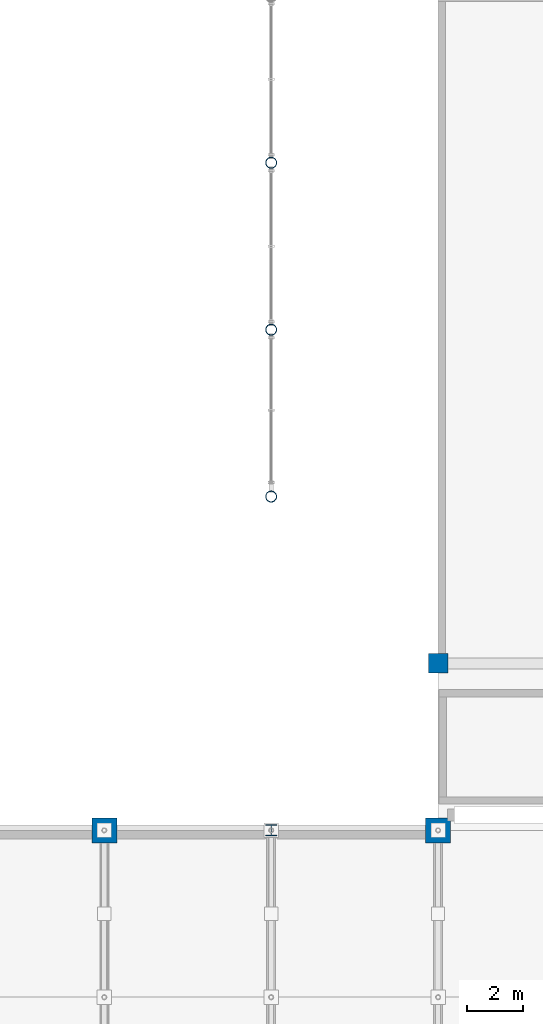
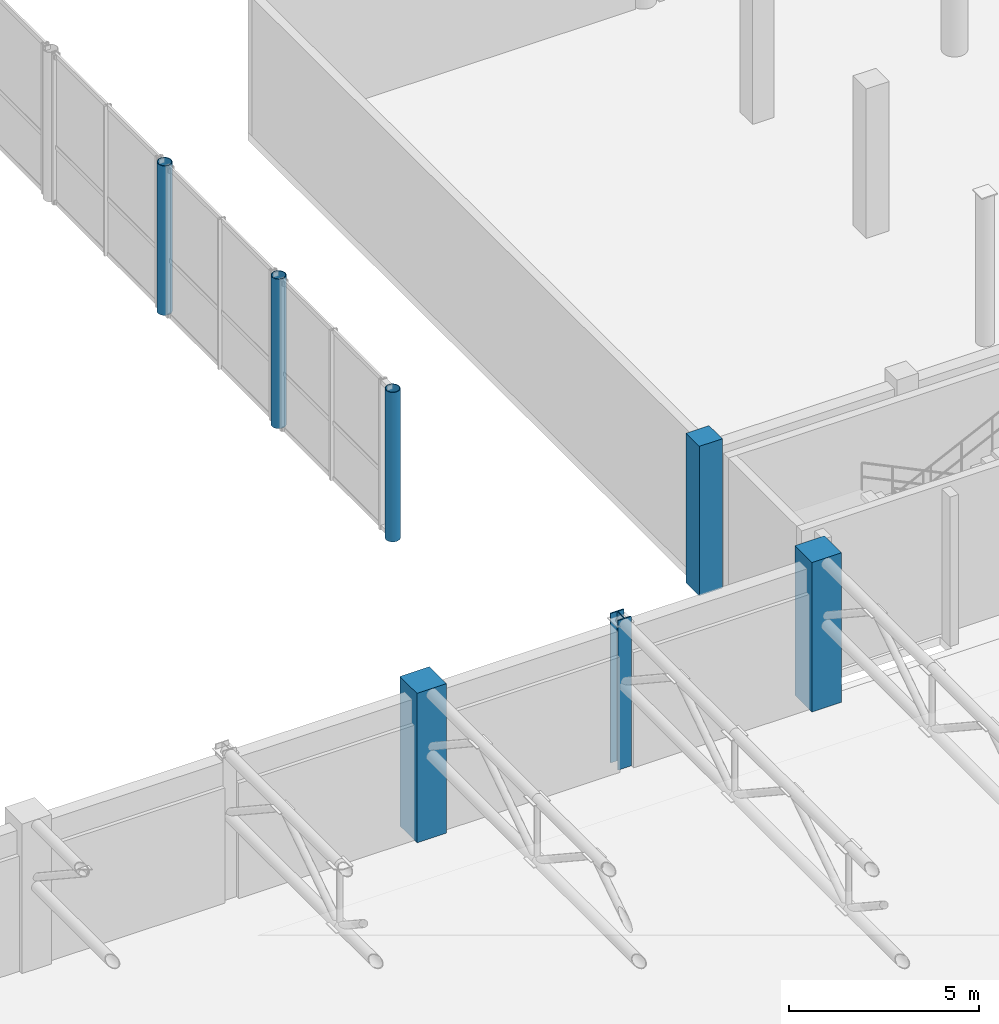
# One storey, part 5 of 123: 7 columns.
"""IFC4 building model written with IfcOpenShell, lengths in metres."""

import ifcopenshell
import ifcopenshell.guid

model = None  # the IFC model being written
_history = None  # IfcOwnerHistory: only IFC2X3 demands one
_inside = {}  # id of a spatial element -> (the spatial element, [elements in it])
_under = {}  # id of a project, library or spatial element -> (it, [spatial elements below it])
_declared = {}  # id of a project -> (the project, [libraries it declares])
_typed = {}  # id of a type object -> (the type object, [elements of that type])
_made_of = {}  # id of a material, layer set ... -> (it, [elements and type objects made of it])


def new_model(schema):
    """Start an empty IFC model of exactly this schema.

    Asked for "IFC4X3", IfcOpenShell would pick the latest addendum, in which some entities
    have other attributes; the version numbers below select the first issue.
    IFC2X3 requires an IfcOwnerHistory on every rooted entity: one is made here for all.
    """
    global model, _history
    if schema == "IFC4X3":
        model = ifcopenshell.file(schema_version=(4, 3, 0, 0))
    else:
        model = ifcopenshell.file(schema=schema)
    _inside.clear()
    _under.clear()
    _declared.clear()
    _typed.clear()
    _made_of.clear()
    _history = None
    if model.schema == "IFC2X3":
        org = make("IfcOrganization", Name="unknown")
        user = make(
            "IfcPersonAndOrganization",
            ThePerson=make("IfcPerson", FamilyName="unknown"),
            TheOrganization=org,
        )
        app = make(
            "IfcApplication",
            ApplicationDeveloper=org,
            Version="unknown",
            ApplicationFullName="unknown",
            ApplicationIdentifier="unknown",
        )
        _history = make(
            "IfcOwnerHistory",
            OwningUser=user,
            OwningApplication=app,
            ChangeAction="ADDED",
            CreationDate=0,
        )
    return model


def make(cls, **values):
    """One entity of the class cls with the attributes given. An attribute that is None is left unset."""
    return model.create_entity(
        cls, **{name: value for name, value in values.items() if value is not None}
    )


def rooted(cls, **values):
    """An entity with a GlobalId (a new one), such as an element, a storey or a relation."""
    return make(cls, GlobalId=ifcopenshell.guid.new(), OwnerHistory=_history, **values)


def si_unit(unit_type, name, prefix=None):
    """IfcSIUnit, for example si_unit("LENGTHUNIT", "METRE", prefix="MILLI")."""
    return make("IfcSIUnit", UnitType=unit_type, Prefix=prefix, Name=name)


def assignment(units):
    """IfcUnitAssignment: the units of a project."""
    return None if units is None else make("IfcUnitAssignment", Units=units)


def point(xyz):
    """IfcCartesianPoint."""
    return None if xyz is None else make("IfcCartesianPoint", Coordinates=xyz)


def direction(xyz):
    """IfcDirection."""
    return None if xyz is None else make("IfcDirection", DirectionRatios=xyz)


def frame(location, z_axis=None, x_axis=None):
    """IfcAxis2Placement3D, a coordinate frame: its origin and axes. An axis left out is left unset."""
    return make(
        "IfcAxis2Placement3D",
        Location=point(location),
        Axis=direction(z_axis),
        RefDirection=direction(x_axis),
    )


def frame_2d(location, x_axis=None):
    """IfcAxis2Placement2D, a coordinate frame in the plane: its origin and x axis."""
    return make(
        "IfcAxis2Placement2D", Location=point(location), RefDirection=direction(x_axis)
    )


def origin():
    """The frame at (0, 0, 0) with its axes left unset."""
    return frame((0.0, 0.0, 0.0))


def origin_2d():
    """The frame at (0, 0) in the plane with its x axis left unset."""
    return frame_2d((0.0, 0.0))


def place(relative_to, where):
    """IfcLocalPlacement: puts the frame where relative to a parent placement (None: the world)."""
    return make(
        "IfcLocalPlacement", PlacementRelTo=relative_to, RelativePlacement=where
    )


def context(
    kind, dimensions, precision=None, world=None, true_north=None, identifier=None
):
    """IfcGeometricRepresentationContext, for example the 3D "Model" context."""
    return make(
        "IfcGeometricRepresentationContext",
        ContextIdentifier=identifier,
        ContextType=kind,
        CoordinateSpaceDimension=dimensions,
        Precision=precision,
        WorldCoordinateSystem=world,
        TrueNorth=true_north,
    )


def subcontext(parent, identifier, kind, view, scale=None):
    """IfcGeometricRepresentationSubContext, for example "Body" below "Model"."""
    return make(
        "IfcGeometricRepresentationSubContext",
        ContextIdentifier=identifier,
        ContextType=kind,
        ParentContext=parent,
        TargetScale=scale,
        TargetView=view,
    )


def project(units=None, contexts=None):
    """IfcProject with its units and contexts."""
    return rooted(
        "IfcProject",
        Name="project",
        RepresentationContexts=contexts,
        UnitsInContext=assignment(units),
    )


def spatial(cls, under=None, at=None, **own):
    """A site, building, storey or space (cls), placed at a placement, below another one or the project."""
    s = rooted(cls, ObjectPlacement=at, **own)
    if under is not None:
        _under.setdefault(under.id(), (under, []))[1].append(s)
    return s


def profile(cls, at=None, kind="AREA", **sizes):
    """A parametric profile (cls). Its sizes go by their IFC names, for example OverallWidth=200.0."""
    return make(cls, ProfileType=kind, Position=at, **sizes)


def rectangle(**sizes):
    """IfcRectangleProfileDef."""
    return profile("IfcRectangleProfileDef", **sizes)


def hollow_circle(**sizes):
    """IfcCircleHollowProfileDef."""
    return profile("IfcCircleHollowProfileDef", **sizes)


def i_section(**sizes):
    """IfcIShapeProfileDef."""
    return profile("IfcIShapeProfileDef", **sizes)


def extrude(swept, where, along, depth):
    """IfcExtrudedAreaSolid: the profile swept, set in the frame where, extruded along a direction by depth."""
    return make(
        "IfcExtrudedAreaSolid",
        SweptArea=swept,
        Position=where,
        ExtrudedDirection=direction(along),
        Depth=depth,
    )


def shape(context_of_items, identifier, shape_type, items):
    """IfcShapeRepresentation: the items that make up one representation, for example the "Body"."""
    return make(
        "IfcShapeRepresentation",
        ContextOfItems=context_of_items,
        RepresentationIdentifier=identifier,
        RepresentationType=shape_type,
        Items=items,
    )


def material(Name=None, Category=None):
    """IfcMaterial."""
    return make("IfcMaterial", Name=Name, Category=Category)


def material_profile(
    of_material, cross_section, Name=None, Category=None, Priority=None
):
    """IfcMaterialProfile: a cross section and its material."""
    return make(
        "IfcMaterialProfile",
        Name=Name,
        Material=of_material,
        Profile=cross_section,
        Priority=Priority,
        Category=Category,
    )


def profile_set(profiles, Name=None, composite=None):
    """IfcMaterialProfileSet."""
    return make(
        "IfcMaterialProfileSet",
        Name=Name,
        MaterialProfiles=profiles,
        CompositeProfile=composite,
    )


def made_of(thing, what):
    """Note that an element or type object is made of a material, layer set ...; save() writes the relation."""
    if what is not None:
        _made_of.setdefault(what.id(), (what, []))[1].append(thing)
    return thing


def type_object(cls, material=None, **own):
    """A type object (cls), such as IfcWallType, which elements share."""
    return made_of(rooted(cls, **own), material)


def element(
    cls,
    number,
    at=None,
    inside=None,
    cuts=None,
    type_object=None,
    material=None,
    context=None,
    identifier="Body",
    shape_type=None,
    held_by="IfcProductDefinitionShape",
    body=None,
    shapes=None,
    **own,
):
    """One element of the class cls, such as IfcWall. Its Tag is "e" and its number.

    at: its placement. inside: the storey or other place that contains it. cuts: it is an
    opening in that element (IfcRelVoidsElement). A single representation is given by context,
    identifier, shape_type and body (its items); several are given by shapes. held_by: the class
    of the entity that holds the representations. save() writes the other relations.
    """
    e = rooted(cls, Tag="e%d" % number, ObjectPlacement=at, **own)
    if body is not None:
        shapes = [shape(context, identifier, shape_type, body)]
    if shapes is not None:
        e.Representation = make(held_by, Representations=shapes)
    if inside is not None:
        _inside.setdefault(inside.id(), (inside, []))[1].append(e)
    if cuts is not None:
        rooted(
            "IfcRelVoidsElement", RelatingBuildingElement=cuts, RelatedOpeningElement=e
        )
    if type_object is not None:
        _typed.setdefault(type_object.id(), (type_object, []))[1].append(e)
    return made_of(e, material)


def aggregate(whole, parts):
    """IfcRelAggregates: a whole, such as a stair, and the parts it consists of."""
    return rooted("IfcRelAggregates", RelatingObject=whole, RelatedObjects=parts)


def save(model, path):
    """Write the relations noted so far, then the file.

    IfcRelAggregates (storeys below a building ...), IfcRelContainedInSpatialStructure (elements
    in a storey), IfcRelDefinesByType, IfcRelAssociatesMaterial and IfcRelDeclares: one each for
    every whole, place, type object, material and project.
    """
    for whole, parts in _under.values():
        aggregate(whole, parts)
    for where, things in _inside.values():
        rooted(
            "IfcRelContainedInSpatialStructure",
            RelatedElements=things,
            RelatingStructure=where,
        )
    for kind, things in _typed.values():
        rooted("IfcRelDefinesByType", RelatedObjects=things, RelatingType=kind)
    for what, things in _made_of.values():
        rooted("IfcRelAssociatesMaterial", RelatedObjects=things, RelatingMaterial=what)
    for by, libraries in _declared.values():
        rooted("IfcRelDeclares", RelatingContext=by, RelatedDefinitions=libraries)
    model.write(path)


model = new_model("IFC4")

# Units and contexts
model_context = context("Model", 3, precision=1e-05, world=origin(), true_north=direction((0.0, 1.0)))
body_context = subcontext(model_context, "Body", "Model", "MODEL_VIEW")
ifc_project = project(units=[si_unit("LENGTHUNIT", "METRE"), si_unit("AREAUNIT", "SQUARE_METRE"), si_unit("VOLUMEUNIT", "CUBIC_METRE"), si_unit("PLANEANGLEUNIT", "RADIAN"), si_unit("MASSUNIT", "GRAM", prefix="KILO"), si_unit("THERMODYNAMICTEMPERATUREUNIT", "KELVIN"), si_unit("POWERUNIT", "WATT")], contexts=[model_context])

# Site, building, storey
site_placement = place(None, origin())
site = spatial("IfcSite", under=ifc_project, at=site_placement, CompositionType="ELEMENT")
building_placement = place(site_placement, origin())
building = spatial("IfcBuilding", under=site, at=building_placement, Name="Phaisarnlok Congress Hotel", CompositionType="ELEMENT")
storey_placement = place(building_placement, frame((0.0, 0.0, 15.0)))
storey = spatial("IfcBuildingStorey", under=building, at=storey_placement, Name="L03", CompositionType="ELEMENT", Elevation=15.0)

# Columns
ifc_material_1 = material(Name="Concrete C50/60", Category="concrete")
ifc_material_profile_1 = material_profile(ifc_material_1, rectangle(XDim=0.699951171875, YDim=0.699951171875, at=origin_2d()), Name="RC 700x700")
ifc_profile_set_1 = profile_set([ifc_material_profile_1], Name="Concrete C50/60")
column_type_1 = type_object("IfcColumnType", Name="COL-RC-700", PredefinedType="COLUMN", material=ifc_profile_set_1)
column_1_placement = place(storey_placement, frame((126.0, 42.0, 0.0), z_axis=(0.0, 0.0, 1.0), x_axis=(1.0, 0.0, 0.0)))
element("IfcColumn", 1, at=column_1_placement, inside=storey, type_object=column_type_1, Name="Column C-05 (L03)", PredefinedType="COLUMN", context=body_context, shape_type="SweptSolid", body=[
    extrude(rectangle(XDim=0.699951171875, YDim=0.699951171875, at=origin_2d()), origin(), (0.0, 0.0, 1.0), 4.800048828125),
])
ifc_material_profile_2 = material_profile(ifc_material_1, rectangle(XDim=0.89990234375, YDim=0.89990234375, at=origin_2d()), Name="RC 900x900")
ifc_profile_set_2 = profile_set([ifc_material_profile_2], Name="Concrete C50/60")
column_type_2 = type_object("IfcColumnType", Name="COL-RC-900", PredefinedType="COLUMN", material=ifc_profile_set_2)
for number, where, z_axis, x_axis, name in (
    (2, (114.0, 36.0, 0.0), (0.0, 0.0, 1.0), (1.0, 0.0, 0.0), "Column C-08 (L03)"),
    (3, (126.0, 36.0, 0.0), (0.0, 0.0, 1.0), (1.0, 0.0, 0.0), "Column C-08 (L03)"),
):
    element("IfcColumn", number, at=place(storey_placement, frame(where, z_axis=z_axis, x_axis=x_axis)), inside=storey, type_object=column_type_2, Name=name, PredefinedType="COLUMN", context=body_context, shape_type="SweptSolid", body=[
        extrude(rectangle(XDim=0.89990234375, YDim=0.89990234375, at=origin_2d()), origin(), (0.0, 0.0, 1.0), 4.800048828125),
    ])
ifc_material_2 = material(Name="Steel S355", Category="steel")
ifc_material_profile_3 = material_profile(ifc_material_2, hollow_circle(Radius=0.203125, WallThickness=0.02001953125, at=origin_2d()), Name="CHS 406.4x20")
ifc_profile_set_3 = profile_set([ifc_material_profile_3], Name="Steel S355")
column_type_3 = type_object("IfcColumnType", Name="COL-STL-CHS406-EXT", PredefinedType="COLUMN", material=ifc_profile_set_3)
for number, where, z_axis, x_axis, name in (
    (4, (120.0, 48.0, 0.0), (0.0, 0.0, 1.0), (1.0, 0.0, 0.0), "Cloister wing-roof slim steel column SC-02E (L03)"),
    (5, (120.0, 54.0, 0.0), (0.0, 0.0, 1.0), (1.0, 0.0, 0.0), "Cloister wing-roof slim steel column SC-02E (L03)"),
    (6, (120.0, 60.0, 0.0), (0.0, 0.0, 1.0), (1.0, 0.0, 0.0), "Cloister wing-roof slim steel column SC-02E (L03)"),
):
    element("IfcColumn", number, at=place(storey_placement, frame(where, z_axis=z_axis, x_axis=x_axis)), inside=storey, type_object=column_type_3, Name=name, PredefinedType="COLUMN", context=body_context, shape_type="SweptSolid", body=[
        extrude(hollow_circle(Radius=0.203125, WallThickness=0.02001953125, at=origin_2d()), origin(), (0.0, 0.0, 1.0), 4.800048828125),
    ])
ifc_material_profile_4 = material_profile(ifc_material_2, i_section(OverallWidth=0.406005859375, OverallDepth=0.416015625, WebThickness=0.021484375, FlangeThickness=0.034912109375, FilletRadius=0.014892578125, at=origin_2d()), Name="HD 400x382")
ifc_profile_set_4 = profile_set([ifc_material_profile_4], Name="Steel S355")
column_type_4 = type_object("IfcColumnType", Name="COL-STL-HD382", PredefinedType="COLUMN", material=ifc_profile_set_4)
column_2_placement = place(storey_placement, frame((120.0, 36.0, 0.0), z_axis=(0.0, 0.0, 1.0), x_axis=(1.0, 0.0, 0.0)))
element("IfcColumn", 7, at=column_2_placement, inside=storey, type_object=column_type_4, Name="Column SC-05 (L03)", PredefinedType="COLUMN", context=body_context, shape_type="SweptSolid", body=[
    extrude(i_section(OverallWidth=0.406005859375, OverallDepth=0.416015625, WebThickness=0.021484375, FlangeThickness=0.034912109375, FilletRadius=0.014892578125, at=origin_2d()), origin(), (0.0, 0.0, 1.0), 4.800048828125),
])

save(model, "model.ifc")
